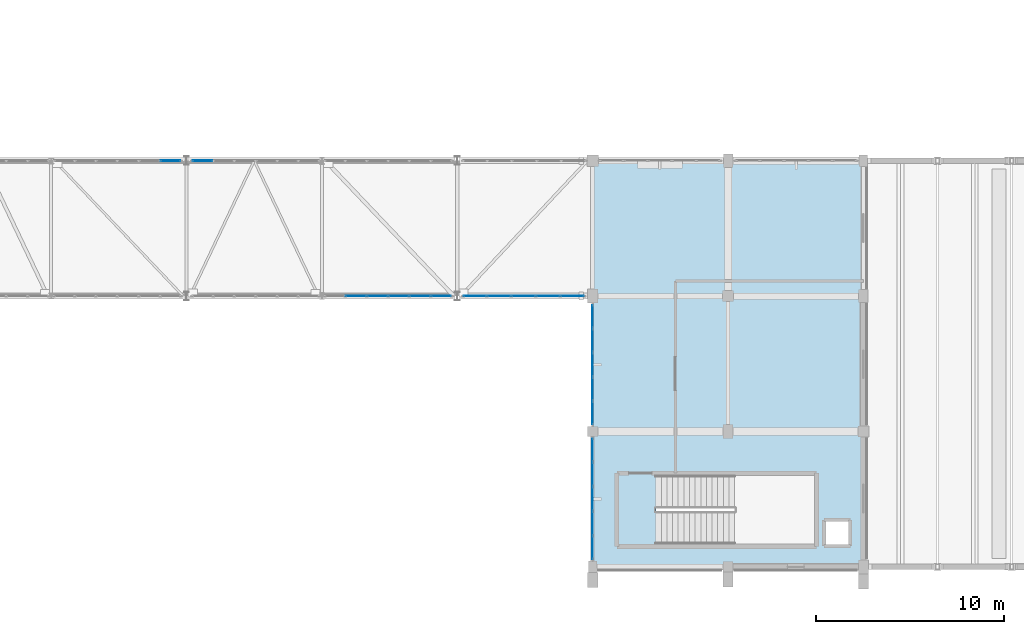
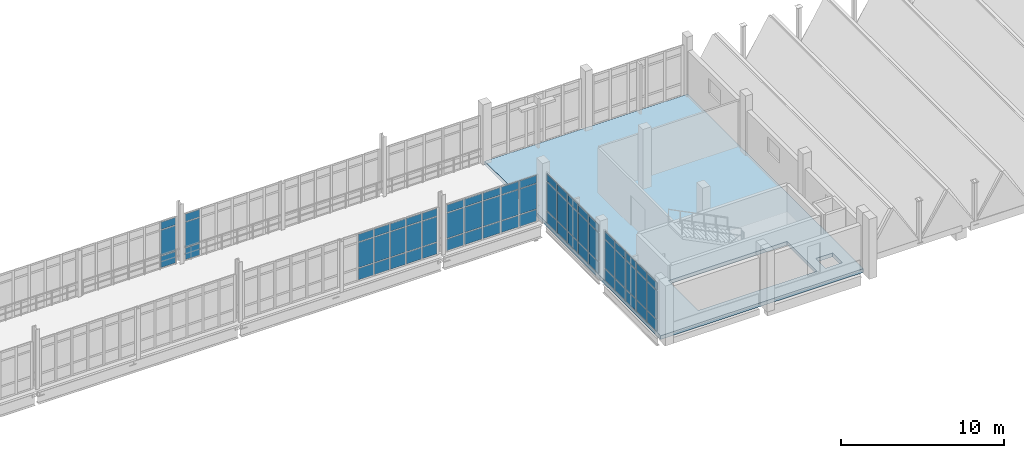
# One storey, part 94 of 124: 66 plates, 1 slab, 6 elements without a shape of their own.
"""IFC4 building model written with IfcOpenShell, lengths in metres."""

from ifc_helpers import new_model, si_unit, direction, frame, origin, origin_2d, place, context, subcontext, project, spatial, polyline, rectangle, outline, extrude, material, layer, layer_set, type_object, element, aggregate, save


model = new_model("IFC4")

# Units and contexts
model_context = context("Model", 3, precision=1e-05, world=origin(), true_north=direction((0.0, 1.0)))
body_context = subcontext(model_context, "Body", "Model", "MODEL_VIEW")
ifc_project = project(units=[si_unit("LENGTHUNIT", "METRE"), si_unit("AREAUNIT", "SQUARE_METRE"), si_unit("VOLUMEUNIT", "CUBIC_METRE"), si_unit("PLANEANGLEUNIT", "RADIAN"), si_unit("MASSUNIT", "GRAM", prefix="KILO")], contexts=[model_context])

# Site, building, storey
site_placement = place(None, origin())
site = spatial("IfcSite", under=ifc_project, at=site_placement, CompositionType="ELEMENT")
building_placement = place(site_placement, origin())
building = spatial("IfcBuilding", under=site, at=building_placement, Name="Kalluvel Institute of Natural Sciences", CompositionType="ELEMENT")
storey_placement = place(building_placement, frame((0.0, 0.0, 9.89990234375)))
storey = spatial("IfcBuildingStorey", under=building, at=storey_placement, Name="L02", CompositionType="ELEMENT", Elevation=9.89990234375)

# Curtain wall, plates
ifc_material_1 = material(Name="Aluminium AW-6063 T6", Category="aluminium")
curtain_wall_type_1 = type_object("IfcCurtainWallType", Name="CW-SPAV-45", PredefinedType="USERDEFINED", material=ifc_material_1)
curtain_wall_1_placement = place(storey_placement, origin())
curtain_wall_1 = element("IfcCurtainWall", 1, at=curtain_wall_1_placement, inside=storey, type_object=curtain_wall_type_1, Name="L02 Gothic lancet curtain wall CWA-L02-X1004-Y144", ObjectType="UNITISED LANCET FACADE", PredefinedType="USERDEFINED")
ifc_material_2 = material(Name="Solar-Control Low-E Laminated Glass", Category="glass")
ifc_layer_1 = layer(ifc_material_2, 0.028076171875)
ifc_layer_set_1 = layer_set([ifc_layer_1], Name="Solar-Control Low-E Laminated Glass")
plate_type_1 = type_object("IfcPlateType", Name="CWP-DGU-28", PredefinedType="CURTAIN_PANEL", material=ifc_layer_set_1)
plate_1_placement = place(storey_placement, frame((100.39990234375, 15.018798828125, 0.065185546875), z_axis=(0.0, 0.0, 1.0), x_axis=(0.0, 1.0, 0.0)))
plate_1 = element("IfcPlate", 2, at=plate_1_placement, type_object=plate_type_1, Name="CW-10 panel 1.1", PredefinedType="CURTAIN_PANEL", context=body_context, shape_type="SweptSolid", body=[
    extrude(rectangle(XDim=1.20751953125, YDim=0.028076171875, at=origin_2d()), origin(), (0.0, 0.0, 1.0), 0.8525390625),
])
plate_2_placement = place(storey_placement, frame((100.39990234375, 15.018798828125, 0.982421875), z_axis=(0.0, 0.0, 1.0), x_axis=(0.0, 1.0, 0.0)))
plate_2 = element("IfcPlate", 3, at=plate_2_placement, type_object=plate_type_1, Name="CW-10 panel 1.2", PredefinedType="CURTAIN_PANEL", context=body_context, shape_type="SweptSolid", body=[
    extrude(rectangle(XDim=1.20751953125, YDim=0.028076171875, at=origin_2d()), origin(), (0.0, 0.0, 1.0), 2.135009765625),
])
plate_3_placement = place(storey_placement, frame((100.39990234375, 15.018798828125, 3.1826171875), z_axis=(0.0, 0.0, 1.0), x_axis=(0.0, 1.0, 0.0)))
plate_3 = element("IfcPlate", 4, at=plate_3_placement, type_object=plate_type_1, Name="CW-10 panel 1.3", PredefinedType="CURTAIN_PANEL", context=body_context, shape_type="SweptSolid", body=[
    extrude(rectangle(XDim=1.20751953125, YDim=0.028076171875, at=origin_2d()), origin(), (0.0, 0.0, 1.0), 0.552490234375),
])
plate_4_placement = place(storey_placement, frame((100.39990234375, 16.3076171875, 0.065185546875), z_axis=(0.0, 0.0, 1.0), x_axis=(0.0, 1.0, 0.0)))
plate_4 = element("IfcPlate", 5, at=plate_4_placement, type_object=plate_type_1, Name="CW-10 panel 2.1", PredefinedType="CURTAIN_PANEL", context=body_context, shape_type="SweptSolid", body=[
    extrude(rectangle(XDim=1.239990234375, YDim=0.028076171875, at=origin_2d()), origin(), (0.0, 0.0, 1.0), 0.8525390625),
])
plate_5_placement = place(storey_placement, frame((100.39990234375, 16.3076171875, 0.982421875), z_axis=(0.0, 0.0, 1.0), x_axis=(0.0, 1.0, 0.0)))
plate_5 = element("IfcPlate", 6, at=plate_5_placement, type_object=plate_type_1, Name="CW-10 panel 2.2", PredefinedType="CURTAIN_PANEL", context=body_context, shape_type="SweptSolid", body=[
    extrude(rectangle(XDim=1.239990234375, YDim=0.028076171875, at=origin_2d()), origin(), (0.0, 0.0, 1.0), 2.135009765625),
])
plate_6_placement = place(storey_placement, frame((100.39990234375, 16.3076171875, 3.1826171875), z_axis=(0.0, 0.0, 1.0), x_axis=(0.0, 1.0, 0.0)))
plate_6 = element("IfcPlate", 7, at=plate_6_placement, type_object=plate_type_1, Name="CW-10 panel 2.3", PredefinedType="CURTAIN_PANEL", context=body_context, shape_type="SweptSolid", body=[
    extrude(rectangle(XDim=1.239990234375, YDim=0.028076171875, at=origin_2d()), origin(), (0.0, 0.0, 1.0), 0.552490234375),
])
plate_7_placement = place(storey_placement, frame((100.39990234375, 17.612548828125, 0.065185546875), z_axis=(0.0, 0.0, 1.0), x_axis=(0.0, 1.0, 0.0)))
plate_7 = element("IfcPlate", 8, at=plate_7_placement, type_object=plate_type_1, Name="CW-10 panel 3.1", PredefinedType="CURTAIN_PANEL", context=body_context, shape_type="SweptSolid", body=[
    extrude(rectangle(XDim=1.239990234375, YDim=0.028076171875, at=origin_2d()), origin(), (0.0, 0.0, 1.0), 0.8525390625),
])
plate_8_placement = place(storey_placement, frame((100.39990234375, 17.612548828125, 0.982421875), z_axis=(0.0, 0.0, 1.0), x_axis=(0.0, 1.0, 0.0)))
plate_8 = element("IfcPlate", 9, at=plate_8_placement, type_object=plate_type_1, Name="CW-10 panel 3.2", PredefinedType="CURTAIN_PANEL", context=body_context, shape_type="SweptSolid", body=[
    extrude(rectangle(XDim=1.239990234375, YDim=0.028076171875, at=origin_2d()), origin(), (0.0, 0.0, 1.0), 2.135009765625),
])
plate_9_placement = place(storey_placement, frame((100.39990234375, 17.612548828125, 3.1826171875), z_axis=(0.0, 0.0, 1.0), x_axis=(0.0, 1.0, 0.0)))
plate_9 = element("IfcPlate", 10, at=plate_9_placement, type_object=plate_type_1, Name="CW-10 panel 3.3", PredefinedType="CURTAIN_PANEL", context=body_context, shape_type="SweptSolid", body=[
    extrude(rectangle(XDim=1.239990234375, YDim=0.028076171875, at=origin_2d()), origin(), (0.0, 0.0, 1.0), 0.552490234375),
])
plate_10_placement = place(storey_placement, frame((100.39990234375, 18.91748046875, 0.065185546875), z_axis=(0.0, 0.0, 1.0), x_axis=(0.0, 1.0, 0.0)))
plate_10 = element("IfcPlate", 11, at=plate_10_placement, type_object=plate_type_1, Name="CW-10 panel 4.1", PredefinedType="CURTAIN_PANEL", context=body_context, shape_type="SweptSolid", body=[
    extrude(rectangle(XDim=1.239990234375, YDim=0.028076171875, at=origin_2d()), origin(), (0.0, 0.0, 1.0), 0.8525390625),
])
plate_11_placement = place(storey_placement, frame((100.39990234375, 18.91748046875, 0.982421875), z_axis=(0.0, 0.0, 1.0), x_axis=(0.0, 1.0, 0.0)))
plate_11 = element("IfcPlate", 12, at=plate_11_placement, type_object=plate_type_1, Name="CW-10 panel 4.2", PredefinedType="CURTAIN_PANEL", context=body_context, shape_type="SweptSolid", body=[
    extrude(rectangle(XDim=1.239990234375, YDim=0.028076171875, at=origin_2d()), origin(), (0.0, 0.0, 1.0), 2.135009765625),
])
plate_12_placement = place(storey_placement, frame((100.39990234375, 18.91748046875, 3.1826171875), z_axis=(0.0, 0.0, 1.0), x_axis=(0.0, 1.0, 0.0)))
plate_12 = element("IfcPlate", 13, at=plate_12_placement, type_object=plate_type_1, Name="CW-10 panel 4.3", PredefinedType="CURTAIN_PANEL", context=body_context, shape_type="SweptSolid", body=[
    extrude(rectangle(XDim=1.239990234375, YDim=0.028076171875, at=origin_2d()), origin(), (0.0, 0.0, 1.0), 0.552490234375),
])
plate_13_placement = place(storey_placement, frame((100.39990234375, 20.206298828125, 0.065185546875), z_axis=(0.0, 0.0, 1.0), x_axis=(0.0, 1.0, 0.0)))
plate_13 = element("IfcPlate", 14, at=plate_13_placement, type_object=plate_type_1, Name="CW-10 panel 5.1", PredefinedType="CURTAIN_PANEL", context=body_context, shape_type="SweptSolid", body=[
    extrude(rectangle(XDim=1.20751953125, YDim=0.028076171875, at=origin_2d()), origin(), (0.0, 0.0, 1.0), 0.8525390625),
])
plate_14_placement = place(storey_placement, frame((100.39990234375, 20.206298828125, 0.982421875), z_axis=(0.0, 0.0, 1.0), x_axis=(0.0, 1.0, 0.0)))
plate_14 = element("IfcPlate", 15, at=plate_14_placement, type_object=plate_type_1, Name="CW-10 panel 5.2", PredefinedType="CURTAIN_PANEL", context=body_context, shape_type="SweptSolid", body=[
    extrude(rectangle(XDim=1.20751953125, YDim=0.028076171875, at=origin_2d()), origin(), (0.0, 0.0, 1.0), 2.135009765625),
])
plate_15_placement = place(storey_placement, frame((100.39990234375, 20.206298828125, 3.1826171875), z_axis=(0.0, 0.0, 1.0), x_axis=(0.0, 1.0, 0.0)))
plate_15 = element("IfcPlate", 16, at=plate_15_placement, type_object=plate_type_1, Name="CW-10 panel 5.3", PredefinedType="CURTAIN_PANEL", context=body_context, shape_type="SweptSolid", body=[
    extrude(rectangle(XDim=1.20751953125, YDim=0.028076171875, at=origin_2d()), origin(), (0.0, 0.0, 1.0), 0.552490234375),
])
aggregate(curtain_wall_1, [plate_1, plate_2, plate_3, plate_4, plate_5, plate_6, plate_7, plate_8, plate_9, plate_10, plate_11, plate_12, plate_13, plate_14, plate_15])

curtain_wall_2_placement = place(storey_placement, origin())
curtain_wall_2 = element("IfcCurtainWall", 17, at=curtain_wall_2_placement, inside=storey, type_object=curtain_wall_type_1, Name="L02 Gothic lancet curtain wall CWA-L02-X1004-Y215", ObjectType="UNITISED LANCET FACADE", PredefinedType="USERDEFINED")
plate_16_placement = place(storey_placement, frame((100.39990234375, 22.186279296875, 0.065185546875), z_axis=(0.0, 0.0, 1.0), x_axis=(0.0, 1.0, 0.0)))
plate_16 = element("IfcPlate", 18, at=plate_16_placement, type_object=plate_type_1, Name="CW-10 panel 1.1", PredefinedType="CURTAIN_PANEL", context=body_context, shape_type="SweptSolid", body=[
    extrude(rectangle(XDim=1.1923828125, YDim=0.028076171875, at=origin_2d()), origin(), (0.0, 0.0, 1.0), 0.8525390625),
])
plate_17_placement = place(storey_placement, frame((100.39990234375, 22.186279296875, 0.982421875), z_axis=(0.0, 0.0, 1.0), x_axis=(0.0, 1.0, 0.0)))
plate_17 = element("IfcPlate", 19, at=plate_17_placement, type_object=plate_type_1, Name="CW-10 panel 1.2", PredefinedType="CURTAIN_PANEL", context=body_context, shape_type="SweptSolid", body=[
    extrude(rectangle(XDim=1.1923828125, YDim=0.028076171875, at=origin_2d()), origin(), (0.0, 0.0, 1.0), 2.135009765625),
])
plate_18_placement = place(storey_placement, frame((100.39990234375, 22.186279296875, 3.1826171875), z_axis=(0.0, 0.0, 1.0), x_axis=(0.0, 1.0, 0.0)))
plate_18 = element("IfcPlate", 20, at=plate_18_placement, type_object=plate_type_1, Name="CW-10 panel 1.3", PredefinedType="CURTAIN_PANEL", context=body_context, shape_type="SweptSolid", body=[
    extrude(rectangle(XDim=1.1923828125, YDim=0.028076171875, at=origin_2d()), origin(), (0.0, 0.0, 1.0), 0.552490234375),
])
plate_19_placement = place(storey_placement, frame((100.39990234375, 23.4599609375, 0.065185546875), z_axis=(0.0, 0.0, 1.0), x_axis=(0.0, 1.0, 0.0)))
plate_19 = element("IfcPlate", 21, at=plate_19_placement, type_object=plate_type_1, Name="CW-10 panel 2.1", PredefinedType="CURTAIN_PANEL", context=body_context, shape_type="SweptSolid", body=[
    extrude(rectangle(XDim=1.22509765625, YDim=0.028076171875, at=origin_2d()), origin(), (0.0, 0.0, 1.0), 0.8525390625),
])
plate_20_placement = place(storey_placement, frame((100.39990234375, 23.4599609375, 0.982421875), z_axis=(0.0, 0.0, 1.0), x_axis=(0.0, 1.0, 0.0)))
plate_20 = element("IfcPlate", 22, at=plate_20_placement, type_object=plate_type_1, Name="CW-10 panel 2.2", PredefinedType="CURTAIN_PANEL", context=body_context, shape_type="SweptSolid", body=[
    extrude(rectangle(XDim=1.22509765625, YDim=0.028076171875, at=origin_2d()), origin(), (0.0, 0.0, 1.0), 2.135009765625),
])
plate_21_placement = place(storey_placement, frame((100.39990234375, 23.4599609375, 3.1826171875), z_axis=(0.0, 0.0, 1.0), x_axis=(0.0, 1.0, 0.0)))
plate_21 = element("IfcPlate", 23, at=plate_21_placement, type_object=plate_type_1, Name="CW-10 panel 2.3", PredefinedType="CURTAIN_PANEL", context=body_context, shape_type="SweptSolid", body=[
    extrude(rectangle(XDim=1.22509765625, YDim=0.028076171875, at=origin_2d()), origin(), (0.0, 0.0, 1.0), 0.552490234375),
])
plate_22_placement = place(storey_placement, frame((100.39990234375, 24.75, 0.065185546875), z_axis=(0.0, 0.0, 1.0), x_axis=(0.0, 1.0, 0.0)))
plate_22 = element("IfcPlate", 24, at=plate_22_placement, type_object=plate_type_1, Name="CW-10 panel 3.1", PredefinedType="CURTAIN_PANEL", context=body_context, shape_type="SweptSolid", body=[
    extrude(rectangle(XDim=1.22509765625, YDim=0.028076171875, at=origin_2d()), origin(), (0.0, 0.0, 1.0), 0.8525390625),
])
plate_23_placement = place(storey_placement, frame((100.39990234375, 24.75, 0.982421875), z_axis=(0.0, 0.0, 1.0), x_axis=(0.0, 1.0, 0.0)))
plate_23 = element("IfcPlate", 25, at=plate_23_placement, type_object=plate_type_1, Name="CW-10 panel 3.2", PredefinedType="CURTAIN_PANEL", context=body_context, shape_type="SweptSolid", body=[
    extrude(rectangle(XDim=1.22509765625, YDim=0.028076171875, at=origin_2d()), origin(), (0.0, 0.0, 1.0), 2.135009765625),
])
plate_24_placement = place(storey_placement, frame((100.39990234375, 24.75, 3.1826171875), z_axis=(0.0, 0.0, 1.0), x_axis=(0.0, 1.0, 0.0)))
plate_24 = element("IfcPlate", 26, at=plate_24_placement, type_object=plate_type_1, Name="CW-10 panel 3.3", PredefinedType="CURTAIN_PANEL", context=body_context, shape_type="SweptSolid", body=[
    extrude(rectangle(XDim=1.22509765625, YDim=0.028076171875, at=origin_2d()), origin(), (0.0, 0.0, 1.0), 0.552490234375),
])
plate_25_placement = place(storey_placement, frame((100.39990234375, 26.0400390625, 0.065185546875), z_axis=(0.0, 0.0, 1.0), x_axis=(0.0, 1.0, 0.0)))
plate_25 = element("IfcPlate", 27, at=plate_25_placement, type_object=plate_type_1, Name="CW-10 panel 4.1", PredefinedType="CURTAIN_PANEL", context=body_context, shape_type="SweptSolid", body=[
    extrude(rectangle(XDim=1.22509765625, YDim=0.028076171875, at=origin_2d()), origin(), (0.0, 0.0, 1.0), 0.8525390625),
])
plate_26_placement = place(storey_placement, frame((100.39990234375, 26.0400390625, 0.982421875), z_axis=(0.0, 0.0, 1.0), x_axis=(0.0, 1.0, 0.0)))
plate_26 = element("IfcPlate", 28, at=plate_26_placement, type_object=plate_type_1, Name="CW-10 panel 4.2", PredefinedType="CURTAIN_PANEL", context=body_context, shape_type="SweptSolid", body=[
    extrude(rectangle(XDim=1.22509765625, YDim=0.028076171875, at=origin_2d()), origin(), (0.0, 0.0, 1.0), 2.135009765625),
])
plate_27_placement = place(storey_placement, frame((100.39990234375, 26.0400390625, 3.1826171875), z_axis=(0.0, 0.0, 1.0), x_axis=(0.0, 1.0, 0.0)))
plate_27 = element("IfcPlate", 29, at=plate_27_placement, type_object=plate_type_1, Name="CW-10 panel 4.3", PredefinedType="CURTAIN_PANEL", context=body_context, shape_type="SweptSolid", body=[
    extrude(rectangle(XDim=1.22509765625, YDim=0.028076171875, at=origin_2d()), origin(), (0.0, 0.0, 1.0), 0.552490234375),
])
plate_28_placement = place(storey_placement, frame((100.39990234375, 27.313720703125, 0.065185546875), z_axis=(0.0, 0.0, 1.0), x_axis=(0.0, 1.0, 0.0)))
plate_28 = element("IfcPlate", 30, at=plate_28_placement, type_object=plate_type_1, Name="CW-10 panel 5.1", PredefinedType="CURTAIN_PANEL", context=body_context, shape_type="SweptSolid", body=[
    extrude(rectangle(XDim=1.1923828125, YDim=0.028076171875, at=origin_2d()), origin(), (0.0, 0.0, 1.0), 0.8525390625),
])
plate_29_placement = place(storey_placement, frame((100.39990234375, 27.313720703125, 0.982421875), z_axis=(0.0, 0.0, 1.0), x_axis=(0.0, 1.0, 0.0)))
plate_29 = element("IfcPlate", 31, at=plate_29_placement, type_object=plate_type_1, Name="CW-10 panel 5.2", PredefinedType="CURTAIN_PANEL", context=body_context, shape_type="SweptSolid", body=[
    extrude(rectangle(XDim=1.1923828125, YDim=0.028076171875, at=origin_2d()), origin(), (0.0, 0.0, 1.0), 2.135009765625),
])
plate_30_placement = place(storey_placement, frame((100.39990234375, 27.313720703125, 3.1826171875), z_axis=(0.0, 0.0, 1.0), x_axis=(0.0, 1.0, 0.0)))
plate_30 = element("IfcPlate", 32, at=plate_30_placement, type_object=plate_type_1, Name="CW-10 panel 5.3", PredefinedType="CURTAIN_PANEL", context=body_context, shape_type="SweptSolid", body=[
    extrude(rectangle(XDim=1.1923828125, YDim=0.028076171875, at=origin_2d()), origin(), (0.0, 0.0, 1.0), 0.552490234375),
])
aggregate(curtain_wall_2, [plate_16, plate_17, plate_18, plate_19, plate_20, plate_21, plate_22, plate_23, plate_24, plate_25, plate_26, plate_27, plate_28, plate_29, plate_30])

curtain_wall_type_2 = type_object("IfcCurtainWallType", Name="CW-BRG-45", PredefinedType="USERDEFINED", material=ifc_material_1)
curtain_wall_3_placement = place(storey_placement, origin())
curtain_wall_3 = element("IfcCurtainWall", 33, at=curtain_wall_3_placement, inside=storey, type_object=curtain_wall_type_2, Name="L02 Gothic lancet curtain wall CWA-L02-X717-Y356", ObjectType="UNITISED LANCET FACADE", PredefinedType="USERDEFINED")
ifc_layer_2 = layer(ifc_material_2, 0.031982421875)
ifc_layer_set_2 = layer_set([ifc_layer_2], Name="Solar-Control Low-E Laminated Glass")
plate_type_2 = type_object("IfcPlateType", Name="CWP-DGU-32", PredefinedType="CURTAIN_PANEL", material=ifc_layer_set_2)
plate_31_placement = place(storey_placement, frame((77.942138671875, 35.60009765625, 0.06005859375), z_axis=(0.0, 0.0, 1.0), x_axis=(1.0, 0.0, 0.0)))
plate_31 = element("IfcPlate", 34, at=plate_31_placement, type_object=plate_type_2, Name="CW-07 panel 6.1", PredefinedType="CURTAIN_PANEL", context=body_context, shape_type="SweptSolid", body=[
    extrude(rectangle(XDim=1.0458984375, YDim=0.031982421875, at=origin_2d()), origin(), (0.0, 0.0, 1.0), 0.860107421875),
])
plate_32_placement = place(storey_placement, frame((77.942138671875, 35.60009765625, 0.980224609375), z_axis=(0.0, 0.0, 1.0), x_axis=(1.0, 0.0, 0.0)))
plate_32 = element("IfcPlate", 35, at=plate_32_placement, type_object=plate_type_2, Name="CW-07 panel 6.2", PredefinedType="CURTAIN_PANEL", context=body_context, shape_type="SweptSolid", body=[
    extrude(rectangle(XDim=1.0458984375, YDim=0.031982421875, at=origin_2d()), origin(), (0.0, 0.0, 1.0), 1.8798828125),
])
plate_33_placement = place(storey_placement, frame((77.942138671875, 35.60009765625, 2.920166015625), z_axis=(0.0, 0.0, 1.0), x_axis=(1.0, 0.0, 0.0)))
plate_33 = element("IfcPlate", 36, at=plate_33_placement, type_object=plate_type_2, Name="CW-07 panel 6.3", PredefinedType="CURTAIN_PANEL", context=body_context, shape_type="SweptSolid", body=[
    extrude(rectangle(XDim=1.0458984375, YDim=0.031982421875, at=origin_2d()), origin(), (0.0, 0.0, 1.0), 0.56005859375),
])
aggregate(curtain_wall_3, [plate_31, plate_32, plate_33])

curtain_wall_4_placement = place(storey_placement, origin())
curtain_wall_4 = element("IfcCurtainWall", 37, at=curtain_wall_4_placement, inside=storey, type_object=curtain_wall_type_2, Name="L02 Gothic lancet curtain wall CWA-L02-X791-Y356", ObjectType="UNITISED LANCET FACADE", PredefinedType="USERDEFINED")
plate_34_placement = place(storey_placement, frame((79.657958984375, 35.60009765625, 0.06005859375), z_axis=(0.0, 0.0, 1.0), x_axis=(1.0, 0.0, 0.0)))
plate_34 = element("IfcPlate", 38, at=plate_34_placement, type_object=plate_type_2, Name="CW-07 panel 1.1", PredefinedType="CURTAIN_PANEL", context=body_context, shape_type="SweptSolid", body=[
    extrude(rectangle(XDim=1.0458984375, YDim=0.031982421875, at=origin_2d()), origin(), (0.0, 0.0, 1.0), 0.860107421875),
])
plate_35_placement = place(storey_placement, frame((79.657958984375, 35.60009765625, 0.980224609375), z_axis=(0.0, 0.0, 1.0), x_axis=(1.0, 0.0, 0.0)))
plate_35 = element("IfcPlate", 39, at=plate_35_placement, type_object=plate_type_2, Name="CW-07 panel 1.2", PredefinedType="CURTAIN_PANEL", context=body_context, shape_type="SweptSolid", body=[
    extrude(rectangle(XDim=1.0458984375, YDim=0.031982421875, at=origin_2d()), origin(), (0.0, 0.0, 1.0), 1.8798828125),
])
plate_36_placement = place(storey_placement, frame((79.657958984375, 35.60009765625, 2.920166015625), z_axis=(0.0, 0.0, 1.0), x_axis=(1.0, 0.0, 0.0)))
plate_36 = element("IfcPlate", 40, at=plate_36_placement, type_object=plate_type_2, Name="CW-07 panel 1.3", PredefinedType="CURTAIN_PANEL", context=body_context, shape_type="SweptSolid", body=[
    extrude(rectangle(XDim=1.0458984375, YDim=0.031982421875, at=origin_2d()), origin(), (0.0, 0.0, 1.0), 0.56005859375),
])
aggregate(curtain_wall_4, [plate_34, plate_35, plate_36])

curtain_wall_5_placement = place(storey_placement, origin())
curtain_wall_5 = element("IfcCurtainWall", 41, at=curtain_wall_5_placement, inside=storey, type_object=curtain_wall_type_2, Name="L02 Gothic lancet curtain wall CWA-L02-X861-Y284", ObjectType="UNITISED LANCET FACADE", PredefinedType="USERDEFINED")
plate_37_placement = place(storey_placement, frame((87.813720703125, 28.39990234375, 0.06005859375), z_axis=(0.0, 0.0, 1.0), x_axis=(1.0, 0.0, 0.0)))
plate_37 = element("IfcPlate", 42, at=plate_37_placement, type_object=plate_type_2, Name="CW-07 panel 2.1", PredefinedType="CURTAIN_PANEL", context=body_context, shape_type="SweptSolid", body=[
    extrude(rectangle(XDim=1.075927734375, YDim=0.031982421875, at=origin_2d()), origin(), (0.0, 0.0, 1.0), 0.860107421875),
])
plate_38_placement = place(storey_placement, frame((87.813720703125, 28.39990234375, 0.980224609375), z_axis=(0.0, 0.0, 1.0), x_axis=(1.0, 0.0, 0.0)))
plate_38 = element("IfcPlate", 43, at=plate_38_placement, type_object=plate_type_2, Name="CW-07 panel 2.2", PredefinedType="CURTAIN_PANEL", context=body_context, shape_type="SweptSolid", body=[
    extrude(rectangle(XDim=1.075927734375, YDim=0.031982421875, at=origin_2d()), origin(), (0.0, 0.0, 1.0), 1.8798828125),
])
plate_39_placement = place(storey_placement, frame((87.813720703125, 28.39990234375, 2.920166015625), z_axis=(0.0, 0.0, 1.0), x_axis=(1.0, 0.0, 0.0)))
plate_39 = element("IfcPlate", 44, at=plate_39_placement, type_object=plate_type_2, Name="CW-07 panel 2.3", PredefinedType="CURTAIN_PANEL", context=body_context, shape_type="SweptSolid", body=[
    extrude(rectangle(XDim=1.075927734375, YDim=0.031982421875, at=origin_2d()), origin(), (0.0, 0.0, 1.0), 0.56005859375),
])
plate_40_placement = place(storey_placement, frame((88.949462890625, 28.39990234375, 0.06005859375), z_axis=(0.0, 0.0, 1.0), x_axis=(1.0, 0.0, 0.0)))
plate_40 = element("IfcPlate", 45, at=plate_40_placement, type_object=plate_type_2, Name="CW-07 panel 3.1", PredefinedType="CURTAIN_PANEL", context=body_context, shape_type="SweptSolid", body=[
    extrude(rectangle(XDim=1.075927734375, YDim=0.031982421875, at=origin_2d()), origin(), (0.0, 0.0, 1.0), 0.860107421875),
])
plate_41_placement = place(storey_placement, frame((88.949462890625, 28.39990234375, 0.980224609375), z_axis=(0.0, 0.0, 1.0), x_axis=(1.0, 0.0, 0.0)))
plate_41 = element("IfcPlate", 46, at=plate_41_placement, type_object=plate_type_2, Name="CW-07 panel 3.2", PredefinedType="CURTAIN_PANEL", context=body_context, shape_type="SweptSolid", body=[
    extrude(rectangle(XDim=1.075927734375, YDim=0.031982421875, at=origin_2d()), origin(), (0.0, 0.0, 1.0), 1.8798828125),
])
plate_42_placement = place(storey_placement, frame((88.949462890625, 28.39990234375, 2.920166015625), z_axis=(0.0, 0.0, 1.0), x_axis=(1.0, 0.0, 0.0)))
plate_42 = element("IfcPlate", 47, at=plate_42_placement, type_object=plate_type_2, Name="CW-07 panel 3.3", PredefinedType="CURTAIN_PANEL", context=body_context, shape_type="SweptSolid", body=[
    extrude(rectangle(XDim=1.075927734375, YDim=0.031982421875, at=origin_2d()), origin(), (0.0, 0.0, 1.0), 0.56005859375),
])
plate_43_placement = place(storey_placement, frame((90.08544921875, 28.39990234375, 0.06005859375), z_axis=(0.0, 0.0, 1.0), x_axis=(1.0, 0.0, 0.0)))
plate_43 = element("IfcPlate", 48, at=plate_43_placement, type_object=plate_type_2, Name="CW-07 panel 4.1", PredefinedType="CURTAIN_PANEL", context=body_context, shape_type="SweptSolid", body=[
    extrude(rectangle(XDim=1.075927734375, YDim=0.031982421875, at=origin_2d()), origin(), (0.0, 0.0, 1.0), 0.860107421875),
])
plate_44_placement = place(storey_placement, frame((90.08544921875, 28.39990234375, 0.980224609375), z_axis=(0.0, 0.0, 1.0), x_axis=(1.0, 0.0, 0.0)))
plate_44 = element("IfcPlate", 49, at=plate_44_placement, type_object=plate_type_2, Name="CW-07 panel 4.2", PredefinedType="CURTAIN_PANEL", context=body_context, shape_type="SweptSolid", body=[
    extrude(rectangle(XDim=1.075927734375, YDim=0.031982421875, at=origin_2d()), origin(), (0.0, 0.0, 1.0), 1.8798828125),
])
plate_45_placement = place(storey_placement, frame((90.08544921875, 28.39990234375, 2.920166015625), z_axis=(0.0, 0.0, 1.0), x_axis=(1.0, 0.0, 0.0)))
plate_45 = element("IfcPlate", 50, at=plate_45_placement, type_object=plate_type_2, Name="CW-07 panel 4.3", PredefinedType="CURTAIN_PANEL", context=body_context, shape_type="SweptSolid", body=[
    extrude(rectangle(XDim=1.075927734375, YDim=0.031982421875, at=origin_2d()), origin(), (0.0, 0.0, 1.0), 0.56005859375),
])
plate_46_placement = place(storey_placement, frame((91.22119140625, 28.39990234375, 0.06005859375), z_axis=(0.0, 0.0, 1.0), x_axis=(1.0, 0.0, 0.0)))
plate_46 = element("IfcPlate", 51, at=plate_46_placement, type_object=plate_type_2, Name="CW-07 panel 5.1", PredefinedType="CURTAIN_PANEL", context=body_context, shape_type="SweptSolid", body=[
    extrude(rectangle(XDim=1.075927734375, YDim=0.031982421875, at=origin_2d()), origin(), (0.0, 0.0, 1.0), 0.860107421875),
])
plate_47_placement = place(storey_placement, frame((91.22119140625, 28.39990234375, 0.980224609375), z_axis=(0.0, 0.0, 1.0), x_axis=(1.0, 0.0, 0.0)))
plate_47 = element("IfcPlate", 52, at=plate_47_placement, type_object=plate_type_2, Name="CW-07 panel 5.2", PredefinedType="CURTAIN_PANEL", context=body_context, shape_type="SweptSolid", body=[
    extrude(rectangle(XDim=1.075927734375, YDim=0.031982421875, at=origin_2d()), origin(), (0.0, 0.0, 1.0), 1.8798828125),
])
plate_48_placement = place(storey_placement, frame((91.22119140625, 28.39990234375, 2.920166015625), z_axis=(0.0, 0.0, 1.0), x_axis=(1.0, 0.0, 0.0)))
plate_48 = element("IfcPlate", 53, at=plate_48_placement, type_object=plate_type_2, Name="CW-07 panel 5.3", PredefinedType="CURTAIN_PANEL", context=body_context, shape_type="SweptSolid", body=[
    extrude(rectangle(XDim=1.075927734375, YDim=0.031982421875, at=origin_2d()), origin(), (0.0, 0.0, 1.0), 0.56005859375),
])
plate_49_placement = place(storey_placement, frame((92.342041015625, 28.39990234375, 0.06005859375), z_axis=(0.0, 0.0, 1.0), x_axis=(1.0, 0.0, 0.0)))
plate_49 = element("IfcPlate", 54, at=plate_49_placement, type_object=plate_type_2, Name="CW-07 panel 6.1", PredefinedType="CURTAIN_PANEL", context=body_context, shape_type="SweptSolid", body=[
    extrude(rectangle(XDim=1.0458984375, YDim=0.031982421875, at=origin_2d()), origin(), (0.0, 0.0, 1.0), 0.860107421875),
])
plate_50_placement = place(storey_placement, frame((92.342041015625, 28.39990234375, 0.980224609375), z_axis=(0.0, 0.0, 1.0), x_axis=(1.0, 0.0, 0.0)))
plate_50 = element("IfcPlate", 55, at=plate_50_placement, type_object=plate_type_2, Name="CW-07 panel 6.2", PredefinedType="CURTAIN_PANEL", context=body_context, shape_type="SweptSolid", body=[
    extrude(rectangle(XDim=1.0458984375, YDim=0.031982421875, at=origin_2d()), origin(), (0.0, 0.0, 1.0), 1.8798828125),
])
plate_51_placement = place(storey_placement, frame((92.342041015625, 28.39990234375, 2.920166015625), z_axis=(0.0, 0.0, 1.0), x_axis=(1.0, 0.0, 0.0)))
plate_51 = element("IfcPlate", 56, at=plate_51_placement, type_object=plate_type_2, Name="CW-07 panel 6.3", PredefinedType="CURTAIN_PANEL", context=body_context, shape_type="SweptSolid", body=[
    extrude(rectangle(XDim=1.0458984375, YDim=0.031982421875, at=origin_2d()), origin(), (0.0, 0.0, 1.0), 0.56005859375),
])
aggregate(curtain_wall_5, [plate_37, plate_38, plate_39, plate_40, plate_41, plate_42, plate_43, plate_44, plate_45, plate_46, plate_47, plate_48, plate_49, plate_50, plate_51])

curtain_wall_6_placement = place(storey_placement, origin())
curtain_wall_6 = element("IfcCurtainWall", 57, at=curtain_wall_6_placement, inside=storey, type_object=curtain_wall_type_2, Name="L02 Gothic lancet curtain wall CWA-L02-X935-Y284", ObjectType="UNITISED LANCET FACADE", PredefinedType="USERDEFINED")
plate_52_placement = place(storey_placement, frame((94.139892578125, 28.39990234375, 0.06005859375), z_axis=(0.0, 0.0, 1.0), x_axis=(1.0, 0.0, 0.0)))
plate_52 = element("IfcPlate", 58, at=plate_52_placement, type_object=plate_type_2, Name="CW-07 panel 1.1", PredefinedType="CURTAIN_PANEL", context=body_context, shape_type="SweptSolid", body=[
    extrude(rectangle(XDim=1.2099609375, YDim=0.031982421875, at=origin_2d()), origin(), (0.0, 0.0, 1.0), 0.860107421875),
])
plate_53_placement = place(storey_placement, frame((94.139892578125, 28.39990234375, 0.980224609375), z_axis=(0.0, 0.0, 1.0), x_axis=(1.0, 0.0, 0.0)))
plate_53 = element("IfcPlate", 59, at=plate_53_placement, type_object=plate_type_2, Name="CW-07 panel 1.2", PredefinedType="CURTAIN_PANEL", context=body_context, shape_type="SweptSolid", body=[
    extrude(rectangle(XDim=1.2099609375, YDim=0.031982421875, at=origin_2d()), origin(), (0.0, 0.0, 1.0), 1.8798828125),
])
plate_54_placement = place(storey_placement, frame((94.139892578125, 28.39990234375, 2.920166015625), z_axis=(0.0, 0.0, 1.0), x_axis=(1.0, 0.0, 0.0)))
plate_54 = element("IfcPlate", 60, at=plate_54_placement, type_object=plate_type_2, Name="CW-07 panel 1.3", PredefinedType="CURTAIN_PANEL", context=body_context, shape_type="SweptSolid", body=[
    extrude(rectangle(XDim=1.2099609375, YDim=0.031982421875, at=origin_2d()), origin(), (0.0, 0.0, 1.0), 0.56005859375),
])
plate_55_placement = place(storey_placement, frame((95.425048828125, 28.39990234375, 0.06005859375), z_axis=(0.0, 0.0, 1.0), x_axis=(1.0, 0.0, 0.0)))
plate_55 = element("IfcPlate", 61, at=plate_55_placement, type_object=plate_type_2, Name="CW-07 panel 2.1", PredefinedType="CURTAIN_PANEL", context=body_context, shape_type="SweptSolid", body=[
    extrude(rectangle(XDim=1.239990234375, YDim=0.031982421875, at=origin_2d()), origin(), (0.0, 0.0, 1.0), 0.860107421875),
])
plate_56_placement = place(storey_placement, frame((95.425048828125, 28.39990234375, 0.980224609375), z_axis=(0.0, 0.0, 1.0), x_axis=(1.0, 0.0, 0.0)))
plate_56 = element("IfcPlate", 62, at=plate_56_placement, type_object=plate_type_2, Name="CW-07 panel 2.2", PredefinedType="CURTAIN_PANEL", context=body_context, shape_type="SweptSolid", body=[
    extrude(rectangle(XDim=1.239990234375, YDim=0.031982421875, at=origin_2d()), origin(), (0.0, 0.0, 1.0), 1.8798828125),
])
plate_57_placement = place(storey_placement, frame((95.425048828125, 28.39990234375, 2.920166015625), z_axis=(0.0, 0.0, 1.0), x_axis=(1.0, 0.0, 0.0)))
plate_57 = element("IfcPlate", 63, at=plate_57_placement, type_object=plate_type_2, Name="CW-07 panel 2.3", PredefinedType="CURTAIN_PANEL", context=body_context, shape_type="SweptSolid", body=[
    extrude(rectangle(XDim=1.239990234375, YDim=0.031982421875, at=origin_2d()), origin(), (0.0, 0.0, 1.0), 0.56005859375),
])
plate_58_placement = place(storey_placement, frame((96.72509765625, 28.39990234375, 0.06005859375), z_axis=(0.0, 0.0, 1.0), x_axis=(1.0, 0.0, 0.0)))
plate_58 = element("IfcPlate", 64, at=plate_58_placement, type_object=plate_type_2, Name="CW-07 panel 3.1", PredefinedType="CURTAIN_PANEL", context=body_context, shape_type="SweptSolid", body=[
    extrude(rectangle(XDim=1.239990234375, YDim=0.031982421875, at=origin_2d()), origin(), (0.0, 0.0, 1.0), 0.860107421875),
])
plate_59_placement = place(storey_placement, frame((96.72509765625, 28.39990234375, 0.980224609375), z_axis=(0.0, 0.0, 1.0), x_axis=(1.0, 0.0, 0.0)))
plate_59 = element("IfcPlate", 65, at=plate_59_placement, type_object=plate_type_2, Name="CW-07 panel 3.2", PredefinedType="CURTAIN_PANEL", context=body_context, shape_type="SweptSolid", body=[
    extrude(rectangle(XDim=1.239990234375, YDim=0.031982421875, at=origin_2d()), origin(), (0.0, 0.0, 1.0), 1.8798828125),
])
plate_60_placement = place(storey_placement, frame((96.72509765625, 28.39990234375, 2.920166015625), z_axis=(0.0, 0.0, 1.0), x_axis=(1.0, 0.0, 0.0)))
plate_60 = element("IfcPlate", 66, at=plate_60_placement, type_object=plate_type_2, Name="CW-07 panel 3.3", PredefinedType="CURTAIN_PANEL", context=body_context, shape_type="SweptSolid", body=[
    extrude(rectangle(XDim=1.239990234375, YDim=0.031982421875, at=origin_2d()), origin(), (0.0, 0.0, 1.0), 0.56005859375),
])
plate_61_placement = place(storey_placement, frame((98.02490234375, 28.39990234375, 0.06005859375), z_axis=(0.0, 0.0, 1.0), x_axis=(1.0, 0.0, 0.0)))
plate_61 = element("IfcPlate", 67, at=plate_61_placement, type_object=plate_type_2, Name="CW-07 panel 4.1", PredefinedType="CURTAIN_PANEL", context=body_context, shape_type="SweptSolid", body=[
    extrude(rectangle(XDim=1.239990234375, YDim=0.031982421875, at=origin_2d()), origin(), (0.0, 0.0, 1.0), 0.860107421875),
])
plate_62_placement = place(storey_placement, frame((98.02490234375, 28.39990234375, 0.980224609375), z_axis=(0.0, 0.0, 1.0), x_axis=(1.0, 0.0, 0.0)))
plate_62 = element("IfcPlate", 68, at=plate_62_placement, type_object=plate_type_2, Name="CW-07 panel 4.2", PredefinedType="CURTAIN_PANEL", context=body_context, shape_type="SweptSolid", body=[
    extrude(rectangle(XDim=1.239990234375, YDim=0.031982421875, at=origin_2d()), origin(), (0.0, 0.0, 1.0), 1.8798828125),
])
plate_63_placement = place(storey_placement, frame((98.02490234375, 28.39990234375, 2.920166015625), z_axis=(0.0, 0.0, 1.0), x_axis=(1.0, 0.0, 0.0)))
plate_63 = element("IfcPlate", 69, at=plate_63_placement, type_object=plate_type_2, Name="CW-07 panel 4.3", PredefinedType="CURTAIN_PANEL", context=body_context, shape_type="SweptSolid", body=[
    extrude(rectangle(XDim=1.239990234375, YDim=0.031982421875, at=origin_2d()), origin(), (0.0, 0.0, 1.0), 0.56005859375),
])
plate_64_placement = place(storey_placement, frame((99.31005859375, 28.39990234375, 0.06005859375), z_axis=(0.0, 0.0, 1.0), x_axis=(1.0, 0.0, 0.0)))
plate_64 = element("IfcPlate", 70, at=plate_64_placement, type_object=plate_type_2, Name="CW-07 panel 5.1", PredefinedType="CURTAIN_PANEL", context=body_context, shape_type="SweptSolid", body=[
    extrude(rectangle(XDim=1.2099609375, YDim=0.031982421875, at=origin_2d()), origin(), (0.0, 0.0, 1.0), 0.860107421875),
])
plate_65_placement = place(storey_placement, frame((99.31005859375, 28.39990234375, 0.980224609375), z_axis=(0.0, 0.0, 1.0), x_axis=(1.0, 0.0, 0.0)))
plate_65 = element("IfcPlate", 71, at=plate_65_placement, type_object=plate_type_2, Name="CW-07 panel 5.2", PredefinedType="CURTAIN_PANEL", context=body_context, shape_type="SweptSolid", body=[
    extrude(rectangle(XDim=1.2099609375, YDim=0.031982421875, at=origin_2d()), origin(), (0.0, 0.0, 1.0), 1.8798828125),
])
plate_66_placement = place(storey_placement, frame((99.31005859375, 28.39990234375, 2.920166015625), z_axis=(0.0, 0.0, 1.0), x_axis=(1.0, 0.0, 0.0)))
plate_66 = element("IfcPlate", 72, at=plate_66_placement, type_object=plate_type_2, Name="CW-07 panel 5.3", PredefinedType="CURTAIN_PANEL", context=body_context, shape_type="SweptSolid", body=[
    extrude(rectangle(XDim=1.2099609375, YDim=0.031982421875, at=origin_2d()), origin(), (0.0, 0.0, 1.0), 0.56005859375),
])
aggregate(curtain_wall_6, [plate_52, plate_53, plate_54, plate_55, plate_56, plate_57, plate_58, plate_59, plate_60, plate_61, plate_62, plate_63, plate_64, plate_65, plate_66])

# Slab
ifc_material_3 = material(Name="Concrete M40", Category="concrete")
ifc_layer_3 = layer(ifc_material_3, 0.280029296875)
ifc_layer_set_3 = layer_set([ifc_layer_3], Name="Concrete M40")
slab_type = type_object("IfcSlabType", Name="SLB-ATR-280", PredefinedType="FLOOR", material=ifc_layer_set_3)
slab_placement = place(storey_placement, frame((0.0, 0.0, -0.27978515625)))
element("IfcSlab", 73, at=slab_placement, inside=storey, type_object=slab_type, Name="L02 East Research Commons and Lecture Hub Slab", PredefinedType="FLOOR", context=body_context, shape_type="SweptSolid", body=[
    extrude(outline(polyline([(100.39990234375, 14.0), (114.800048828125, 14.0), (114.800048828125, 35.60009765625), (100.39990234375, 35.60009765625), (100.39990234375, 14.0)]), holes=[polyline([(112.800048828125, 16.39990234375), (114.0, 16.39990234375), (114.0, 15.199951171875), (112.800048828125, 15.199951171875), (112.800048828125, 16.39990234375)]), polyline([(103.76806640625, 18.8701171875), (112.199951171875, 18.8701171875), (112.199951171875, 15.199951171875), (103.76806640625, 15.199951171875), (103.76806640625, 18.8701171875)])]), origin(), (0.0, 0.0, 1.0), 0.27978515625),
])

save(model, "model.ifc")
